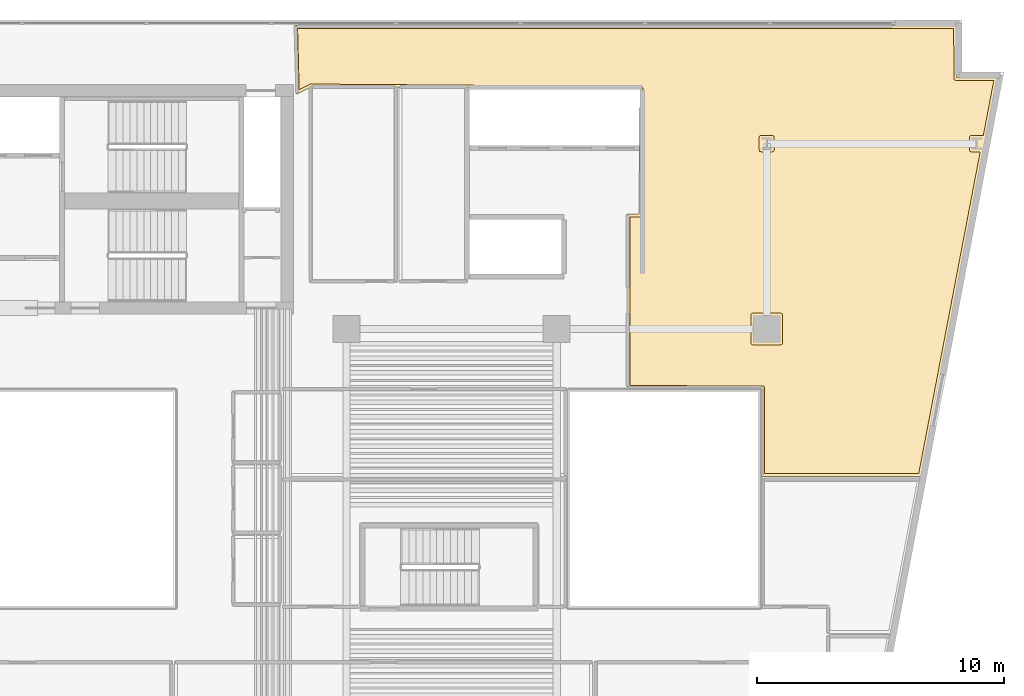
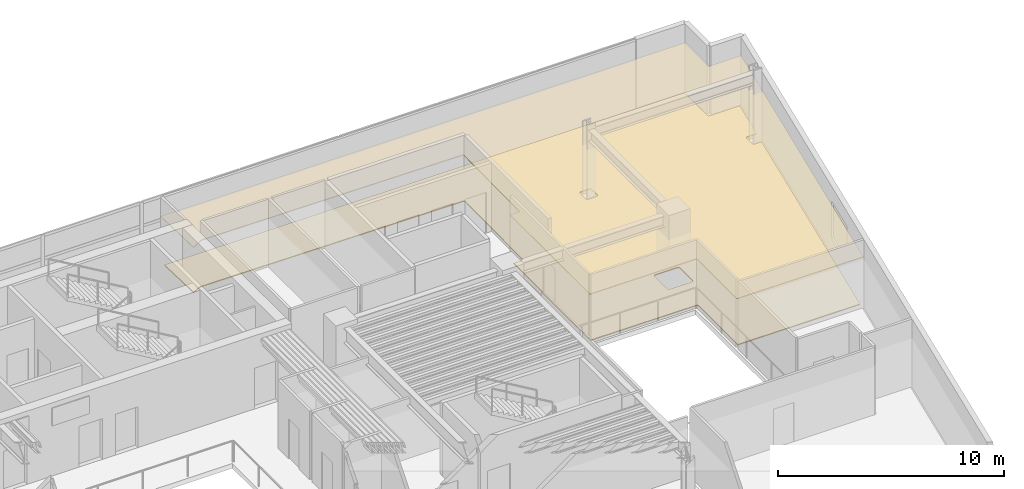
# One storey, part 13 of 13: 2 coverings.
"""IFC4 building model written with IfcOpenShell, lengths in metres."""

from ifc_helpers import new_model, si_unit, direction, frame, origin, place, context, subcontext, project, spatial, polyline, outline, extrude, material, layer, layer_set, type_object, element, save


model = new_model("IFC4")

# Units and contexts
model_context = context("Model", 3, precision=1e-05, world=origin(), true_north=direction((0.0, 1.0)))
body_context = subcontext(model_context, "Body", "Model", "MODEL_VIEW")
ifc_project = project(units=[si_unit("LENGTHUNIT", "METRE"), si_unit("AREAUNIT", "SQUARE_METRE"), si_unit("VOLUMEUNIT", "CUBIC_METRE"), si_unit("PLANEANGLEUNIT", "RADIAN"), si_unit("MASSUNIT", "GRAM", prefix="KILO")], contexts=[model_context])

# Site, building, storey
site_placement = place(None, origin())
site = spatial("IfcSite", under=ifc_project, at=site_placement, CompositionType="ELEMENT")
building_placement = place(site_placement, origin())
building = spatial("IfcBuilding", under=site, at=building_placement, Name="Caeloran Harvest Quay", CompositionType="ELEMENT")
storey_placement = place(building_placement, frame((0.0, 0.0, 139.050048828125)))
storey = spatial("IfcBuildingStorey", under=building, at=storey_placement, Name="L32", CompositionType="ELEMENT", Elevation=139.050048828125)

# Coverings
ifc_material_1 = material(Name="Perforated Mineral-Fibre Acoustic Ceiling Tile", Category="ceiling")
ifc_layer_1 = layer(ifc_material_1, 0.0400390625, Name="Perforated Mineral-Fibre Acoustic Ceiling Tile")
ifc_layer_set_1 = layer_set([ifc_layer_1], Name="Perforated Mineral-Fibre Acoustic Ceiling Tile")
covering_type_1 = type_object("IfcCoveringType", Name="COV-CEILING-ACOUSTIC", PredefinedType="CEILING", material=ifc_layer_set_1)
covering_1_placement = place(storey_placement, frame((0.0, 0.0, 2.599853515625)))
element("IfcCovering", 1, at=covering_1_placement, inside=storey, type_object=covering_type_1, Name="Food Texture Sensory Laboratory 9 Acoustic Ceiling", PredefinedType="CEILING", context=body_context, shape_type="SweptSolid", body=[
    extrude(outline(polyline([(48.75048828125, 25.0400390625), (42.2900390625, 25.0400390625), (42.2900390625, 28.590087890625), (36.840087890625, 28.590087890625), (36.840087890625, 35.659912109375), (37.330322265625, 35.659912109375), (37.36962890625, 40.690185546875), (24.059326171875, 40.789794921875), (23.4716796875, 40.4912109375), (23.39990234375, 43.280029296875), (50.179931640625, 43.280029296875), (50.179931640625, 41.179931640625), (51.8330078125, 41.179931640625), (48.75048828125, 25.0400390625)])), origin(), (0.0, 0.0, 1.0), 0.0400390625),
])
ifc_material_2 = material(Name="Calcium-Sulphate Raised Access Floor and Terrazzo Finish", Category="flooring")
ifc_layer_2 = layer(ifc_material_2, 0.050048828125, Name="Calcium-Sulphate Raised Access Floor and Terrazzo Finish")
ifc_layer_set_2 = layer_set([ifc_layer_2], Name="Calcium-Sulphate Raised Access Floor and Terrazzo Finish")
covering_type_2 = type_object("IfcCoveringType", Name="COV-FLOOR-RAISED", PredefinedType="FLOORING", material=ifc_layer_set_2)
covering_2_placement = place(storey_placement, origin())
element("IfcCovering", 2, at=covering_2_placement, inside=storey, type_object=covering_type_2, Name="Food Texture Sensory Laboratory 9 Raised Finish Flooring", PredefinedType="FLOORING", context=body_context, shape_type="SweptSolid", body=[
    extrude(outline(polyline([(50.06005859375, 43.159912109375), (50.078125, 41.089111328125), (50.132080078125, 41.060302734375), (51.68798828125, 41.06005859375), (51.260986328125, 38.82421875), (50.76513671875, 38.83154296875), (50.694580078125, 38.767578125), (50.70654296875, 38.20361328125), (50.76513671875, 38.16845703125), (51.135498046875, 38.16796875), (48.6513671875, 25.159912109375), (42.409912109375, 25.159912109375), (42.409912109375, 28.6298828125), (42.37451171875, 28.696533203125), (36.9599609375, 28.7099609375), (36.9599609375, 35.5400390625), (37.377685546875, 35.540283203125), (37.44970703125, 35.611572265625), (37.489990234375, 40.7294921875), (37.467041015625, 40.7861328125), (37.41064453125, 40.81005859375), (24.050537109375, 40.909912109375), (23.586669921875, 40.684326171875), (23.52294921875, 43.159912109375), (50.06005859375, 43.159912109375)]), holes=[polyline([(41.93505859375, 31.64501953125), (41.87841796875, 31.62158203125), (41.85498046875, 31.56494140625), (41.85498046875, 30.43505859375), (41.87841796875, 30.37841796875), (41.93505859375, 30.35498046875), (43.06494140625, 30.35498046875), (43.12158203125, 30.37841796875), (43.14501953125, 30.43505859375), (43.14501953125, 31.56494140625), (43.12158203125, 31.62158203125), (43.06494140625, 31.64501953125), (41.93505859375, 31.64501953125)]), polyline([(42.806884765625, 38.248046875), (42.788818359375, 38.802734375), (42.73486328125, 38.83154296875), (42.27294921875, 38.83203125), (42.21630859375, 38.80859375), (42.193115234375, 38.751953125), (42.193115234375, 38.248046875), (42.21630859375, 38.19140625), (42.27294921875, 38.16796875), (42.72705078125, 38.16796875), (42.78369140625, 38.19140625), (42.806884765625, 38.248046875)])]), origin(), (0.0, 0.0, 1.0), 0.050048828125),
])

save(model, "model.ifc")
